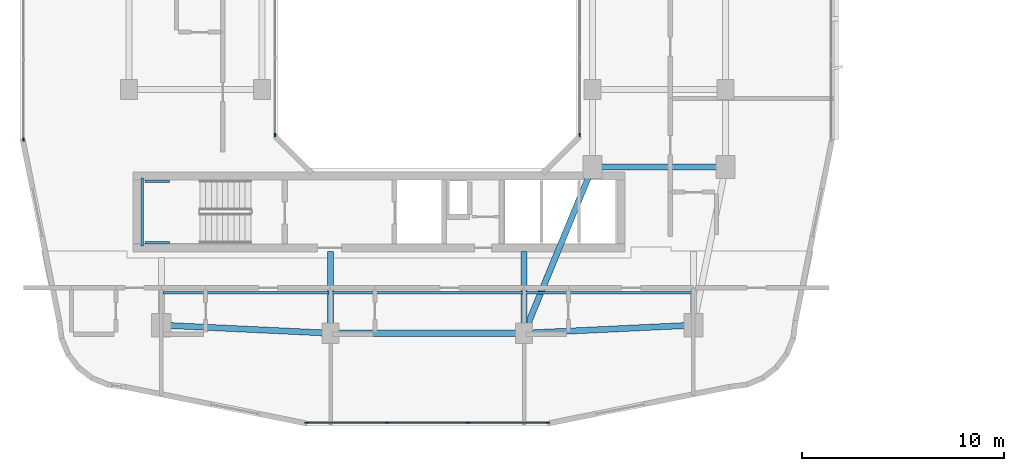
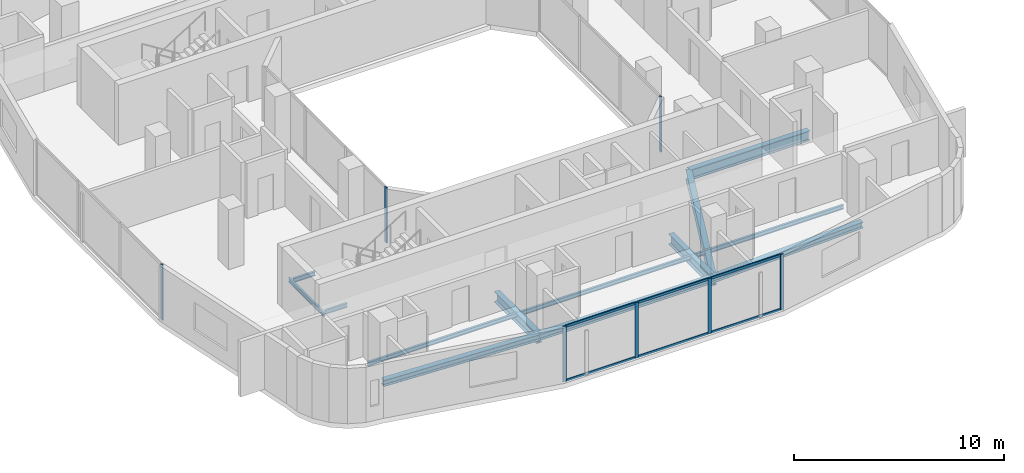
# One storey, part 2 of 26: 13 beams, 13 members, 4 elements without a shape of their own.
"""IFC4 building model written with IfcOpenShell, lengths in metres."""

from ifc_helpers import new_model, si_unit, derived_unit, direction, frame, origin, origin_2d, place, context, subcontext, project, spatial, rectangle, i_section, extrude, material, layer, layer_set, material_profile, profile_set, type_object, element, aggregate, save


model = new_model("IFC4")

# Units and contexts
model_context = context("Model", 3, precision=1e-05, world=origin(), true_north=direction((0.0, 1.0)))
body_context = subcontext(model_context, "Body", "Model", "MODEL_VIEW")
ifc_project = project(units=[si_unit("LENGTHUNIT", "METRE"), si_unit("AREAUNIT", "SQUARE_METRE"), si_unit("VOLUMEUNIT", "CUBIC_METRE"), si_unit("PLANEANGLEUNIT", "RADIAN"), si_unit("MASSUNIT", "GRAM", prefix="KILO"), derived_unit("THERMALTRANSMITTANCEUNIT", [(si_unit("POWERUNIT", "WATT"), 1), (si_unit("LENGTHUNIT", "METRE"), -2), (si_unit("THERMODYNAMICTEMPERATUREUNIT", "KELVIN"), -1)])], contexts=[model_context])

# Site, building, storey
site_placement = place(None, origin())
site = spatial("IfcSite", under=ifc_project, at=site_placement, CompositionType="ELEMENT")
building_placement = place(site_placement, origin())
building = spatial("IfcBuilding", under=site, at=building_placement, Name="Kivonza Crest Hotel", CompositionType="ELEMENT")
storey_placement = place(building_placement, frame((0.0, 0.0, 102.0)))
storey = spatial("IfcBuildingStorey", under=building, at=storey_placement, Name="L27", CompositionType="ELEMENT", Elevation=102.0)

# Beams
ifc_material_1 = material(Name="Steel S355", Category="steel")
ifc_material_profile_1 = material_profile(ifc_material_1, i_section(OverallWidth=0.300048828125, OverallDepth=0.360107421875, WebThickness=0.012451171875, FlangeThickness=0.0224609375, FilletRadius=0.027099609375, at=origin_2d()), Name="HEB 360")
ifc_profile_set_1 = profile_set([ifc_material_profile_1], Name="Steel S355")
beam_type_1 = type_object("IfcBeamType", Name="BM-HEB360", PredefinedType="SPANDREL", material=ifc_profile_set_1)
beam_1_placement = place(storey_placement, frame((16.199951171875, 9.39990234375, -0.4599609375), z_axis=(1.0, 0.0, 0.0), x_axis=(0.0, 1.0, 0.0)))
element("IfcBeam", 1, at=beam_1_placement, inside=storey, type_object=beam_type_1, Name="Tower T1 L27 perimeter spandrel S1-S2", PredefinedType="SPANDREL", context=body_context, shape_type="SweptSolid", body=[
    extrude(i_section(OverallWidth=0.300048828125, OverallDepth=0.360107421875, WebThickness=0.012451171875, FlangeThickness=0.0224609375, FilletRadius=0.027099609375, at=origin_2d()), origin(), (0.0, 0.0, 1.0), 9.60009765625),
])
for number, where, z_axis, x_axis, name in (
    (2, (25.800048828125, 9.39990234375, -0.4599609375), (0.998867283688, 0.047583080799, 0.0), (-0.047583080799, 0.998867283688, 0.0), "Tower T1 L27 perimeter spandrel S2-SE"),
    (3, (7.800048828125, 9.800048828125, -0.4599609375), (0.998867283688, -0.047583080799, 0.0), (0.047583080799, 0.998867283688, 0.0), "Tower T1 L27 perimeter spandrel SW-S1"),
):
    element("IfcBeam", number, at=place(storey_placement, frame(where, z_axis=z_axis, x_axis=x_axis)), inside=storey, type_object=beam_type_1, Name=name, PredefinedType="SPANDREL", context=body_context, shape_type="SweptSolid", body=[
        extrude(i_section(OverallWidth=0.300048828125, OverallDepth=0.360107421875, WebThickness=0.012451171875, FlangeThickness=0.0224609375, FilletRadius=0.027099609375, at=origin_2d()), origin(), (0.0, 0.0, 1.0), 8.409423828125),
    ])
ifc_material_profile_2 = material_profile(ifc_material_1, i_section(OverallWidth=0.300048828125, OverallDepth=0.60009765625, WebThickness=0.015380859375, FlangeThickness=0.030029296875, FilletRadius=0.027099609375, at=origin_2d()), Name="HEB 600")
ifc_profile_set_2 = profile_set([ifc_material_profile_2], Name="Steel S355")
beam_type_2 = type_object("IfcBeamType", Name="BM-HEB600", PredefinedType="BEAM", material=ifc_profile_set_2)
beam_2_placement = place(storey_placement, frame((25.800048828125, 9.39990234375, -0.580078125), z_axis=(0.381022260404, 0.924565864109, 0.0), x_axis=(-0.924565864109, 0.381022260404, 0.0)))
element("IfcBeam", 4, at=beam_2_placement, inside=storey, type_object=beam_type_2, Name="Tower T1 L27 primary girder S1-TSE", PredefinedType="BEAM", context=body_context, shape_type="SweptSolid", body=[
    extrude(i_section(OverallWidth=0.300048828125, OverallDepth=0.60009765625, WebThickness=0.015380859375, FlangeThickness=0.030029296875, FilletRadius=0.027099609375, at=origin_2d()), origin(), (0.0, 0.0, 1.0), 8.923095703125),
])
beam_3_placement = place(storey_placement, frame((29.199951171875, 17.64990234375, -0.580078125), z_axis=(1.0, 0.0, 0.0), x_axis=(0.0, 1.0, 0.0)))
element("IfcBeam", 5, at=beam_3_placement, inside=storey, type_object=beam_type_2, Name="Tower T1 L27 primary girder TSE-PSE", PredefinedType="BEAM", context=body_context, shape_type="SweptSolid", body=[
    extrude(i_section(OverallWidth=0.300048828125, OverallDepth=0.60009765625, WebThickness=0.015380859375, FlangeThickness=0.030029296875, FilletRadius=0.027099609375, at=origin_2d()), origin(), (0.0, 0.0, 1.0), 6.60009765625),
])
for number, where, z_axis, x_axis, name in (
    (6, (16.199951171875, 9.39990234375, -0.580078125), (0.0, 1.0, 0.0), (-1.0, 0.0, 0.0), "Tower T1 L27 radial core girder RS1"),
    (7, (25.800048828125, 9.39990234375, -0.580078125), (0.0, 1.0, 0.0), (-1.0, 0.0, 0.0), "Tower T1 L27 radial core girder RS2"),
):
    element("IfcBeam", number, at=place(storey_placement, frame(where, z_axis=z_axis, x_axis=x_axis)), inside=storey, type_object=beam_type_2, Name=name, PredefinedType="BEAM", context=body_context, shape_type="SweptSolid", body=[
        extrude(i_section(OverallWidth=0.300048828125, OverallDepth=0.60009765625, WebThickness=0.015380859375, FlangeThickness=0.030029296875, FilletRadius=0.027099609375, at=origin_2d()), origin(), (0.0, 0.0, 1.0), 4.050048828125),
    ])
ifc_material_profile_3 = material_profile(ifc_material_1, i_section(OverallWidth=0.1201171875, OverallDepth=0.239990234375, WebThickness=0.006103515625, FlangeThickness=0.009765625, FilletRadius=0.014892578125, at=origin_2d()), Name="IPE 240")
ifc_profile_set_3 = profile_set([ifc_material_profile_3], Name="Steel S355")
beam_type_3 = type_object("IfcBeamType", Name="BM-IPE240", PredefinedType="JOIST", material=ifc_profile_set_3)
beam_4_placement = place(storey_placement, frame((7.8798828125, 11.39990234375, -0.39990234375), z_axis=(1.0, 0.0, 0.0), x_axis=(0.0, 1.0, 0.0)))
element("IfcBeam", 8, at=beam_4_placement, inside=storey, type_object=beam_type_3, Name="Tower T1 L27 South-West floor joist", PredefinedType="JOIST", context=body_context, shape_type="SweptSolid", body=[
    extrude(i_section(OverallWidth=0.1201171875, OverallDepth=0.239990234375, WebThickness=0.006103515625, FlangeThickness=0.009765625, FilletRadius=0.014892578125, at=origin_2d()), origin(), (0.0, 0.0, 1.0), 8.240234375),
])
beam_5_placement = place(storey_placement, frame((16.280029296875, 11.39990234375, -0.39990234375), z_axis=(1.0, 0.0, 0.0), x_axis=(0.0, 1.0, 0.0)))
element("IfcBeam", 9, at=beam_5_placement, inside=storey, type_object=beam_type_3, Name="Tower T1 L27 South-Mid floor joist", PredefinedType="JOIST", context=body_context, shape_type="SweptSolid", body=[
    extrude(i_section(OverallWidth=0.1201171875, OverallDepth=0.239990234375, WebThickness=0.006103515625, FlangeThickness=0.009765625, FilletRadius=0.014892578125, at=origin_2d()), origin(), (0.0, 0.0, 1.0), 9.43994140625),
])
beam_6_placement = place(storey_placement, frame((25.8798828125, 11.39990234375, -0.39990234375), z_axis=(1.0, 0.0, 0.0), x_axis=(0.0, 1.0, 0.0)))
element("IfcBeam", 10, at=beam_6_placement, inside=storey, type_object=beam_type_3, Name="Tower T1 L27 South-East floor joist", PredefinedType="JOIST", context=body_context, shape_type="SweptSolid", body=[
    extrude(i_section(OverallWidth=0.1201171875, OverallDepth=0.239990234375, WebThickness=0.006103515625, FlangeThickness=0.009765625, FilletRadius=0.014892578125, at=origin_2d()), origin(), (0.0, 0.0, 1.0), 8.240234375),
])
ifc_material_profile_4 = material_profile(ifc_material_1, i_section(OverallWidth=0.1201171875, OverallDepth=0.239990234375, WebThickness=0.006103515625, FlangeThickness=0.009765625, FilletRadius=0.014892578125, at=origin_2d()), Name="IPE 240")
ifc_profile_set_4 = profile_set([ifc_material_profile_4], Name="Steel S355")
beam_type_4 = type_object("IfcBeamType", Name="BM-LLDG-240", PredefinedType="BEAM", material=ifc_profile_set_4)
beam_7_placement = place(storey_placement, frame((6.860107421875, 13.739990234375, 1.429931640625), z_axis=(0.0, 1.0, 0.0), x_axis=(-1.0, 0.0, 0.0)))
element("IfcBeam", 11, at=beam_7_placement, inside=storey, type_object=beam_type_4, Name="Stair ST-T1-S L27 West landing corbel", PredefinedType="BEAM", context=body_context, shape_type="SweptSolid", body=[
    extrude(i_section(OverallWidth=0.1201171875, OverallDepth=0.239990234375, WebThickness=0.006103515625, FlangeThickness=0.009765625, FilletRadius=0.014892578125, at=origin_2d()), origin(), (0.0, 0.0, 1.0), 3.360107421875),
])
for number, where, z_axis, x_axis, name in (
    (12, (6.989990234375, 13.89990234375, 1.429931640625), (1.0, 0.0, 0.0), (0.0, 1.0, 0.0), "Stair ST-T1-S L27 South landing corbel"),
    (13, (6.989990234375, 16.93994140625, 1.429931640625), (1.0, 0.0, 0.0), (0.0, 1.0, 0.0), "Stair ST-T1-S L27 North landing corbel"),
):
    element("IfcBeam", number, at=place(storey_placement, frame(where, z_axis=z_axis, x_axis=x_axis)), inside=storey, type_object=beam_type_4, Name=name, PredefinedType="BEAM", context=body_context, shape_type="SweptSolid", body=[
        extrude(i_section(OverallWidth=0.1201171875, OverallDepth=0.239990234375, WebThickness=0.006103515625, FlangeThickness=0.009765625, FilletRadius=0.014892578125, at=origin_2d()), origin(), (0.0, 0.0, 1.0), 1.2099609375),
    ])

# Curtain wall, members
ifc_material_2 = material(Name="Anodised bronze aluminium and low-E double glazing", Category="aluminium")
ifc_layer_1 = layer(ifc_material_2, 0.179931640625)
ifc_layer_set_1 = layer_set([ifc_layer_1], Name="Anodised bronze aluminium and low-E double glazing")
curtain_wall_type_1 = type_object("IfcCurtainWallType", Name="CW-SYS-2", PredefinedType="NOTDEFINED", material=ifc_layer_set_1)
curtain_wall_1_placement = place(storey_placement, origin())
curtain_wall_1 = element("IfcCurtainWall", 14, at=curtain_wall_1_placement, inside=storey, type_object=curtain_wall_type_1, Name="L27 unitised curtain wall CW-T1-L27-08", PredefinedType="NOTDEFINED")
ifc_material_3 = material(Name="Anodised bronze aluminium", Category="aluminium")
ifc_material_profile_5 = material_profile(ifc_material_3, rectangle(XDim=0.06494140625, YDim=0.179931640625, at=origin_2d()), Name="CW-M 65x180")
ifc_profile_set_5 = profile_set([ifc_material_profile_5], Name="Anodised bronze aluminium")
member_type_1 = type_object("IfcMemberType", Name="CW-MUL-65x180", PredefinedType="MULLION", material=ifc_profile_set_5)
member_1_placement = place(storey_placement, frame((15.012451171875, 4.9599609375, 0.0), z_axis=(0.0, 0.0, 1.0), x_axis=(0.0, 1.0, 0.0)))
member_1 = element("IfcMember", 15, at=member_1_placement, type_object=member_type_1, Name="CW-2 mullion 1", PredefinedType="MULLION", context=body_context, shape_type="SweptSolid", body=[
    extrude(rectangle(XDim=0.06494140625, YDim=0.179931640625, at=origin_2d()), origin(), (0.0, 0.0, 1.0), 3.219970703125),
])
member_2_placement = place(storey_placement, frame((18.993408203125, 4.9599609375, 0.0), z_axis=(0.0, 0.0, 1.0), x_axis=(0.0, 1.0, 0.0)))
member_2 = element("IfcMember", 16, at=member_2_placement, type_object=member_type_1, Name="CW-2 mullion 2", PredefinedType="MULLION", context=body_context, shape_type="SweptSolid", body=[
    extrude(rectangle(XDim=0.06494140625, YDim=0.179931640625, at=origin_2d()), origin(), (0.0, 0.0, 1.0), 3.219970703125),
])
member_3_placement = place(storey_placement, frame((23.006591796875, 4.9599609375, 0.0), z_axis=(0.0, 0.0, 1.0), x_axis=(0.0, 1.0, 0.0)))
member_3 = element("IfcMember", 17, at=member_3_placement, type_object=member_type_1, Name="CW-2 mullion 3", PredefinedType="MULLION", context=body_context, shape_type="SweptSolid", body=[
    extrude(rectangle(XDim=0.06494140625, YDim=0.179931640625, at=origin_2d()), origin(), (0.0, 0.0, 1.0), 3.219970703125),
])
member_4_placement = place(storey_placement, frame((26.987548828125, 4.9599609375, 0.0), z_axis=(0.0, 0.0, 1.0), x_axis=(0.0, 1.0, 0.0)))
member_4 = element("IfcMember", 18, at=member_4_placement, type_object=member_type_1, Name="CW-2 mullion 4", PredefinedType="MULLION", context=body_context, shape_type="SweptSolid", body=[
    extrude(rectangle(XDim=0.06494140625, YDim=0.179931640625, at=origin_2d()), origin(), (0.0, 0.0, 1.0), 3.219970703125),
])

# Curtain wall, member
curtain_wall_2_placement = place(storey_placement, origin())
curtain_wall_2 = element("IfcCurtainWall", 19, at=curtain_wall_2_placement, inside=storey, type_object=curtain_wall_type_1, Name="L27 unitised curtain wall CW-T1-L27-35", PredefinedType="NOTDEFINED")
member_5_placement = place(storey_placement, frame((0.9599609375, 19.012451171875, 0.0), z_axis=(0.0, 0.0, 1.0), x_axis=(1.0, 0.0, 0.0)))
member_5 = element("IfcMember", 20, at=member_5_placement, type_object=member_type_1, Name="CW-2 mullion 4", PredefinedType="MULLION", context=body_context, shape_type="SweptSolid", body=[
    extrude(rectangle(XDim=0.06494140625, YDim=0.179931640625, at=origin_2d()), origin(), (0.0, 0.0, 1.0), 3.219970703125),
])
aggregate(curtain_wall_2, [member_5])

ifc_layer_2 = layer(ifc_material_2, 0.159912109375)
ifc_layer_set_2 = layer_set([ifc_layer_2], Name="Anodised bronze aluminium and low-E double glazing")
curtain_wall_type_2 = type_object("IfcCurtainWallType", Name="CW-SYS-5", PredefinedType="NOTDEFINED", material=ifc_layer_set_2)
curtain_wall_3_placement = place(storey_placement, origin())
curtain_wall_3 = element("IfcCurtainWall", 21, at=curtain_wall_3_placement, inside=storey, type_object=curtain_wall_type_2, Name="L27 unitised curtain wall CW-WELL-T1-L27-3", PredefinedType="NOTDEFINED")
member_6_placement = place(storey_placement, frame((28.56005859375, 19.232421875, 0.0), z_axis=(0.0, 0.0, 1.0), x_axis=(-1.0, 0.0, 0.0)))
member_6 = element("IfcMember", 22, at=member_6_placement, type_object=member_type_1, Name="CW-5 mullion 1", PredefinedType="MULLION", context=body_context, shape_type="SweptSolid", body=[
    extrude(rectangle(XDim=0.06494140625, YDim=0.179931640625, at=origin_2d()), origin(), (0.0, 0.0, 1.0), 3.219970703125),
])
aggregate(curtain_wall_3, [member_6])

curtain_wall_4_placement = place(storey_placement, origin())
curtain_wall_4 = element("IfcCurtainWall", 23, at=curtain_wall_4_placement, inside=storey, type_object=curtain_wall_type_2, Name="L27 unitised curtain wall CW-WELL-T1-L27-7", PredefinedType="NOTDEFINED")
member_7_placement = place(storey_placement, frame((13.43994140625, 19.232421875, 0.0), z_axis=(0.0, 0.0, 1.0), x_axis=(1.0, 0.0, 0.0)))
member_7 = element("IfcMember", 24, at=member_7_placement, type_object=member_type_1, Name="CW-5 mullion 4", PredefinedType="MULLION", context=body_context, shape_type="SweptSolid", body=[
    extrude(rectangle(XDim=0.06494140625, YDim=0.179931640625, at=origin_2d()), origin(), (0.0, 0.0, 1.0), 3.219970703125),
])
aggregate(curtain_wall_4, [member_7])

# Member
ifc_material_profile_6 = material_profile(ifc_material_3, rectangle(XDim=0.06494140625, YDim=0.139892578125, at=origin_2d()), Name="CW-T 65x140")
ifc_profile_set_6 = profile_set([ifc_material_profile_6], Name="Anodised bronze aluminium")
member_type_2 = type_object("IfcMemberType", Name="CW-TRN-65x140", PredefinedType="USERDEFINED", material=ifc_profile_set_6)
member_8_placement = place(storey_placement, frame((15.044921875, 4.9599609375, 0.032470703125), z_axis=(1.0, 0.0, 0.0), x_axis=(0.0, 1.0, 0.0)))
member_8 = element("IfcMember", 25, at=member_8_placement, type_object=member_type_2, Name="CW-2 transom 1.1", ObjectType="TRANSOM", PredefinedType="USERDEFINED", context=body_context, shape_type="SweptSolid", body=[
    extrude(rectangle(XDim=0.06494140625, YDim=0.139892578125, at=origin_2d()), origin(), (0.0, 0.0, 1.0), 3.916015625),
])

member_9_placement = place(storey_placement, frame((15.044921875, 4.9599609375, 3.1875), z_axis=(1.0, 0.0, 0.0), x_axis=(0.0, 1.0, 0.0)))
member_9 = element("IfcMember", 26, at=member_9_placement, type_object=member_type_2, Name="CW-2 transom 1.2", ObjectType="TRANSOM", PredefinedType="USERDEFINED", context=body_context, shape_type="SweptSolid", body=[
    extrude(rectangle(XDim=0.06494140625, YDim=0.139892578125, at=origin_2d()), origin(), (0.0, 0.0, 1.0), 3.916015625),
])

member_10_placement = place(storey_placement, frame((19.02587890625, 4.9599609375, 0.032470703125), z_axis=(1.0, 0.0, 0.0), x_axis=(0.0, 1.0, 0.0)))
member_10 = element("IfcMember", 27, at=member_10_placement, type_object=member_type_2, Name="CW-2 transom 2.1", ObjectType="TRANSOM", PredefinedType="USERDEFINED", context=body_context, shape_type="SweptSolid", body=[
    extrude(rectangle(XDim=0.06494140625, YDim=0.139892578125, at=origin_2d()), origin(), (0.0, 0.0, 1.0), 3.9482421875),
])

member_11_placement = place(storey_placement, frame((19.02587890625, 4.9599609375, 3.1875), z_axis=(1.0, 0.0, 0.0), x_axis=(0.0, 1.0, 0.0)))
member_11 = element("IfcMember", 28, at=member_11_placement, type_object=member_type_2, Name="CW-2 transom 2.2", ObjectType="TRANSOM", PredefinedType="USERDEFINED", context=body_context, shape_type="SweptSolid", body=[
    extrude(rectangle(XDim=0.06494140625, YDim=0.139892578125, at=origin_2d()), origin(), (0.0, 0.0, 1.0), 3.9482421875),
])

member_12_placement = place(storey_placement, frame((23.0390625, 4.9599609375, 0.032470703125), z_axis=(1.0, 0.0, 0.0), x_axis=(0.0, 1.0, 0.0)))
member_12 = element("IfcMember", 29, at=member_12_placement, type_object=member_type_2, Name="CW-2 transom 3.1", ObjectType="TRANSOM", PredefinedType="USERDEFINED", context=body_context, shape_type="SweptSolid", body=[
    extrude(rectangle(XDim=0.06494140625, YDim=0.139892578125, at=origin_2d()), origin(), (0.0, 0.0, 1.0), 3.916015625),
])

member_13_placement = place(storey_placement, frame((23.0390625, 4.9599609375, 3.1875), z_axis=(1.0, 0.0, 0.0), x_axis=(0.0, 1.0, 0.0)))
member_13 = element("IfcMember", 30, at=member_13_placement, type_object=member_type_2, Name="CW-2 transom 3.2", ObjectType="TRANSOM", PredefinedType="USERDEFINED", context=body_context, shape_type="SweptSolid", body=[
    extrude(rectangle(XDim=0.06494140625, YDim=0.139892578125, at=origin_2d()), origin(), (0.0, 0.0, 1.0), 3.916015625),
])

aggregate(curtain_wall_1, [member_1, member_2, member_3, member_4, member_8, member_9, member_10, member_11, member_12, member_13])

save(model, "model.ifc")
